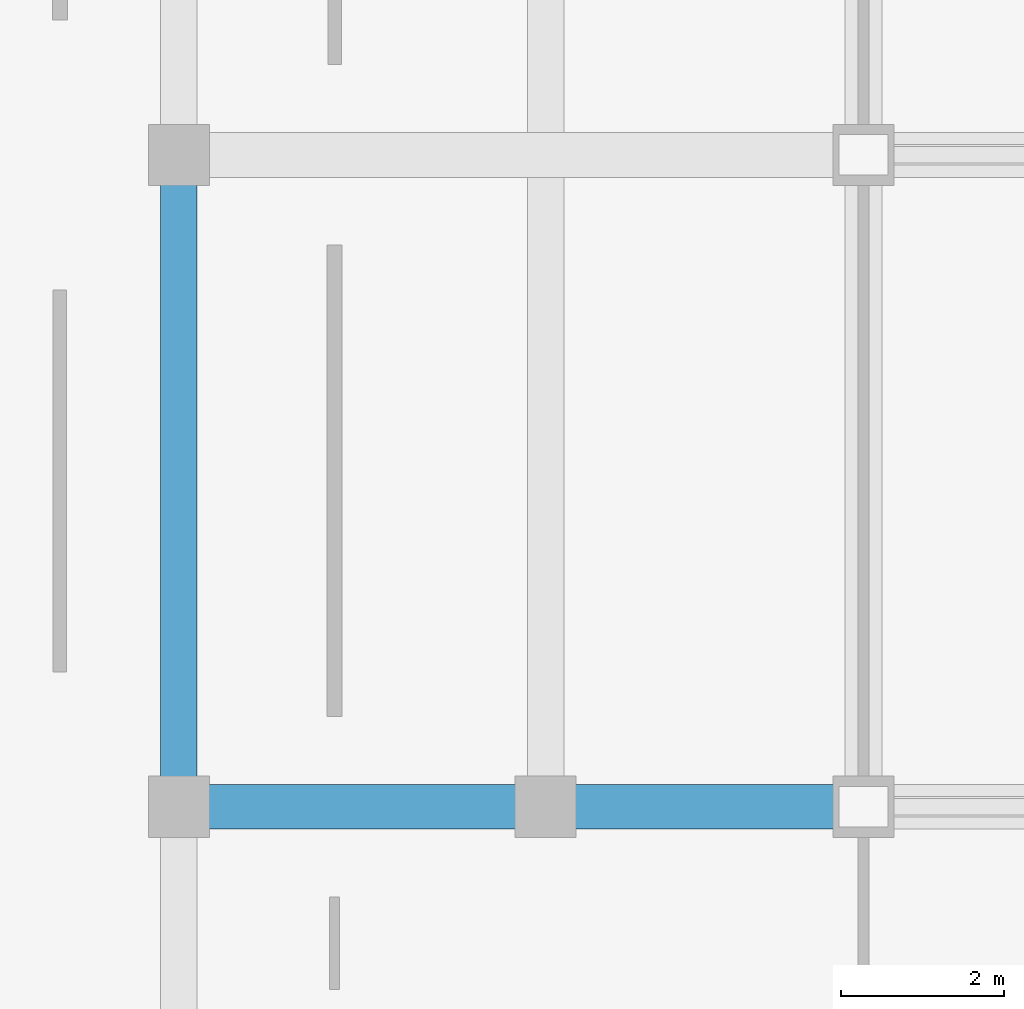
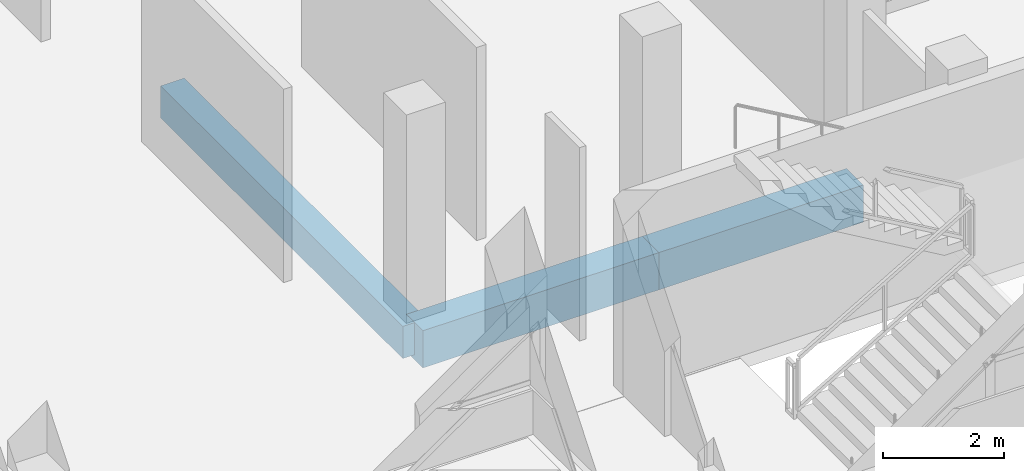
# One storey, part 81 of 184: 3 beams.
"""IFC4 building model written with IfcOpenShell, lengths in metres."""

from ifc_helpers import new_model, si_unit, direction, frame, origin, origin_2d, place, context, subcontext, project, spatial, rectangle, extrude, material, material_profile, profile_set, type_object, element, save


model = new_model("IFC4")

# Units and contexts
model_context = context("Model", 3, precision=1e-05, world=origin(), true_north=direction((0.0, 1.0)))
body_context = subcontext(model_context, "Body", "Model", "MODEL_VIEW")
ifc_project = project(units=[si_unit("LENGTHUNIT", "METRE"), si_unit("AREAUNIT", "SQUARE_METRE"), si_unit("VOLUMEUNIT", "CUBIC_METRE"), si_unit("PLANEANGLEUNIT", "RADIAN"), si_unit("MASSUNIT", "GRAM", prefix="KILO")], contexts=[model_context])

# Site, building, storey
site_placement = place(None, origin())
site = spatial("IfcSite", under=ifc_project, at=site_placement, CompositionType="ELEMENT")
building_placement = place(site_placement, origin())
building = spatial("IfcBuilding", under=site, at=building_placement, Name="Selatvlak General Hospital", CompositionType="ELEMENT")
storey_placement = place(building_placement, frame((0.0, 0.0, 15.0)))
storey = spatial("IfcBuildingStorey", under=building, at=storey_placement, Name="L03", CompositionType="ELEMENT", Elevation=15.0)

# Beams
ifc_material = material(Name="Concrete C40/50", Category="concrete")
ifc_material_profile_1 = material_profile(ifc_material, rectangle(XDim=0.550048828125, YDim=0.75, at=origin_2d()), Name="RC-BM 550x750")
ifc_profile_set_1 = profile_set([ifc_material_profile_1], Name="Concrete C40/50")
beam_type_1 = type_object("IfcBeamType", Name="BM-G02", PredefinedType="BEAM", material=ifc_profile_set_1)
beam_1_placement = place(storey_placement, frame((22.800048828125, 92.0, -0.715087890625), z_axis=(1.0, 0.0, 0.0), x_axis=(0.0, 1.0, 0.0)))
element("IfcBeam", 1, at=beam_1_placement, inside=storey, type_object=beam_type_1, Name="Beam BMR-L03-1202", PredefinedType="BEAM", context=body_context, shape_type="SweptSolid", body=[
    extrude(rectangle(XDim=0.550048828125, YDim=0.75, at=origin_2d()), origin(), (0.0, 0.0, 1.0), 4.5),
])
beam_2_placement = place(storey_placement, frame((27.300048828125, 92.0, -0.715087890625), z_axis=(1.0, 0.0, 0.0), x_axis=(0.0, 1.0, 0.0)))
element("IfcBeam", 2, at=beam_2_placement, inside=storey, type_object=beam_type_1, Name="Beam BMR-L03-1203", PredefinedType="BEAM", context=body_context, shape_type="SweptSolid", body=[
    extrude(rectangle(XDim=0.550048828125, YDim=0.75, at=origin_2d()), origin(), (0.0, 0.0, 1.0), 3.89990234375),
])
ifc_material_profile_2 = material_profile(ifc_material, rectangle(XDim=0.449951171875, YDim=0.64990234375, at=origin_2d()), Name="RC-BM 450x650")
ifc_profile_set_2 = profile_set([ifc_material_profile_2], Name="Concrete C40/50")
beam_type_2 = type_object("IfcBeamType", Name="BM-G04", PredefinedType="BEAM", material=ifc_profile_set_2)
beam_3_placement = place(storey_placement, frame((22.800048828125, 92.0, -0.6650390625), z_axis=(0.0, 1.0, 0.0), x_axis=(-1.0, 0.0, 0.0)))
element("IfcBeam", 3, at=beam_3_placement, inside=storey, type_object=beam_type_2, Name="Beam BMR-L03-1297", PredefinedType="BEAM", context=body_context, shape_type="SweptSolid", body=[
    extrude(rectangle(XDim=0.449951171875, YDim=0.64990234375, at=origin_2d()), origin(), (0.0, 0.0, 1.0), 8.0),
])

save(model, "model.ifc")
